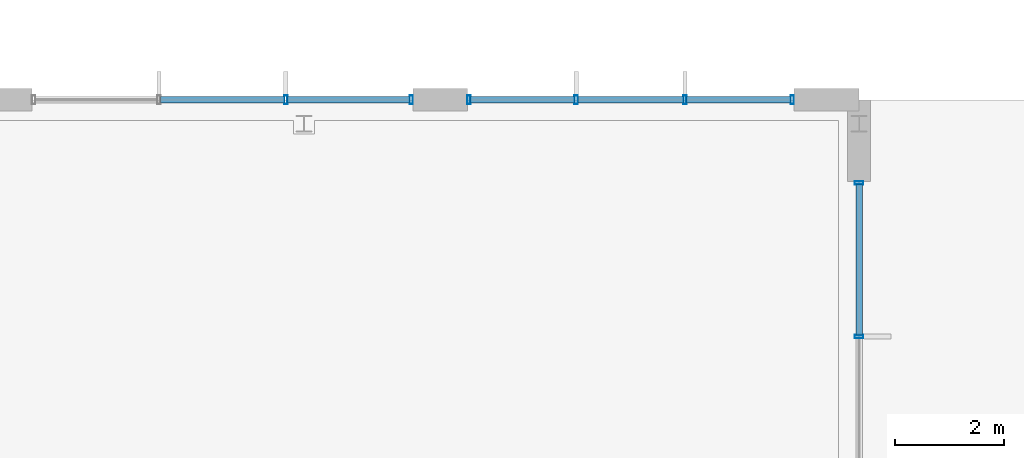
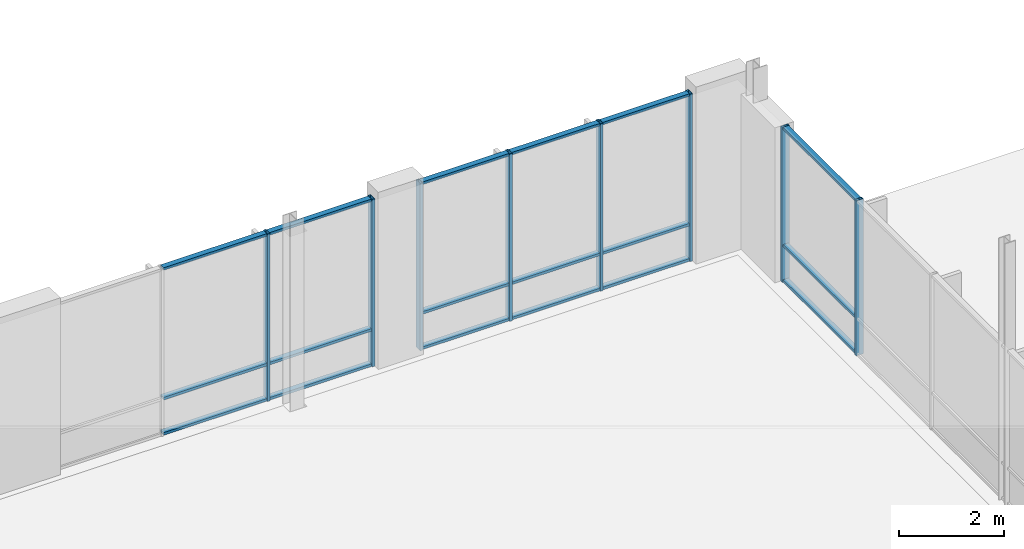
# One storey, part 126 of 233: 26 members, 3 elements without a shape of their own.
"""IFC4 building model written with IfcOpenShell, lengths in metres."""

from ifc_helpers import new_model, si_unit, direction, frame, origin, origin_2d, place, context, subcontext, project, spatial, hollow_rectangle, extrude, material, material_profile, profile_set, type_object, element, aggregate, save


model = new_model("IFC4")

# Units and contexts
model_context = context("Model", 3, precision=1e-05, world=origin(), true_north=direction((0.0, 1.0)))
body_context = subcontext(model_context, "Body", "Model", "MODEL_VIEW")
ifc_project = project(units=[si_unit("LENGTHUNIT", "METRE"), si_unit("AREAUNIT", "SQUARE_METRE"), si_unit("VOLUMEUNIT", "CUBIC_METRE"), si_unit("PLANEANGLEUNIT", "RADIAN"), si_unit("MASSUNIT", "GRAM", prefix="KILO")], contexts=[model_context])

# Site, building, storey
site_placement = place(None, origin())
site = spatial("IfcSite", under=ifc_project, at=site_placement, CompositionType="ELEMENT")
building_placement = place(site_placement, origin())
building = spatial("IfcBuilding", under=site, at=building_placement, Name="Zavelmont Quarter", CompositionType="ELEMENT")
storey_placement = place(building_placement, origin())
storey = spatial("IfcBuildingStorey", under=building, at=storey_placement, Name="L00", CompositionType="ELEMENT", Elevation=0.0)

# Curtain wall, members
ifc_material_1 = material(Name="Thermally broken aluminium and double low-E safety glazing", Category="aluminium")
curtain_wall_type_1 = type_object("IfcCurtainWallType", Name="CW-700X390", PredefinedType="NOTDEFINED", material=ifc_material_1)
curtain_wall_1_placement = place(storey_placement, origin())
curtain_wall_1 = element("IfcCurtainWall", 1, at=curtain_wall_1_placement, inside=storey, type_object=curtain_wall_type_1, Name="L00 unitised curtain wall CW-700X390", PredefinedType="NOTDEFINED")
ifc_material_2 = material(Name="Powder-coated aluminium EN AW-6063-T6", Category="aluminium")
ifc_material_profile_1 = material_profile(ifc_material_2, hollow_rectangle(XDim=0.06005859375, YDim=0.159912109375, WallThickness=0.00390625, at=origin_2d()), Name="CWM60X160")
ifc_profile_set_1 = profile_set([ifc_material_profile_1], Name="Powder-coated aluminium EN AW-6063-T6")
member_type_1 = type_object("IfcMemberType", Name="CWM01", PredefinedType="MULLION", material=ifc_profile_set_1)
member_1_placement = place(storey_placement, frame((65.466552734375, 116.0, 0.0), z_axis=(0.0, 0.0, 1.0), x_axis=(1.0, 0.0, 0.0)))
member_1 = element("IfcMember", 2, at=member_1_placement, type_object=member_type_1, Name="CW-700X390 mullion 3", PredefinedType="MULLION", context=body_context, shape_type="SweptSolid", body=[
    extrude(hollow_rectangle(XDim=0.06005859375, YDim=0.159912109375, WallThickness=0.00390625, at=origin_2d()), origin(), (0.0, 0.0, 1.0), 3.89990234375),
])
member_2_placement = place(storey_placement, frame((67.77001953125, 116.0, 0.0), z_axis=(0.0, 0.0, 1.0), x_axis=(1.0, 0.0, 0.0)))
member_2 = element("IfcMember", 3, at=member_2_placement, type_object=member_type_1, Name="CW-700X390 mullion 4", PredefinedType="MULLION", context=body_context, shape_type="SweptSolid", body=[
    extrude(hollow_rectangle(XDim=0.06005859375, YDim=0.159912109375, WallThickness=0.00390625, at=origin_2d()), origin(), (0.0, 0.0, 1.0), 3.89990234375),
])

curtain_wall_type_2 = type_object("IfcCurtainWallType", Name="CW-600X390", PredefinedType="NOTDEFINED", material=ifc_material_1)
curtain_wall_2_placement = place(storey_placement, origin())
curtain_wall_2 = element("IfcCurtainWall", 4, at=curtain_wall_2_placement, inside=storey, type_object=curtain_wall_type_2, Name="L00 unitised curtain wall CW-600X390", PredefinedType="NOTDEFINED")
member_3_placement = place(storey_placement, frame((68.830078125, 116.0, 0.0), z_axis=(0.0, 0.0, 1.0), x_axis=(1.0, 0.0, 0.0)))
member_3 = element("IfcMember", 5, at=member_3_placement, type_object=member_type_1, Name="CW-600X390 mullion 1", PredefinedType="MULLION", context=body_context, shape_type="SweptSolid", body=[
    extrude(hollow_rectangle(XDim=0.06005859375, YDim=0.159912109375, WallThickness=0.00390625, at=origin_2d()), origin(), (0.0, 0.0, 1.0), 3.89990234375),
])
member_4_placement = place(storey_placement, frame((70.800048828125, 116.0, 0.0), z_axis=(0.0, 0.0, 1.0), x_axis=(1.0, 0.0, 0.0)))
member_4 = element("IfcMember", 6, at=member_4_placement, type_object=member_type_1, Name="CW-600X390 mullion 2", PredefinedType="MULLION", context=body_context, shape_type="SweptSolid", body=[
    extrude(hollow_rectangle(XDim=0.06005859375, YDim=0.159912109375, WallThickness=0.00390625, at=origin_2d()), origin(), (0.0, 0.0, 1.0), 3.89990234375),
])
member_5_placement = place(storey_placement, frame((72.800048828125, 116.0, 0.0), z_axis=(0.0, 0.0, 1.0), x_axis=(1.0, 0.0, 0.0)))
member_5 = element("IfcMember", 7, at=member_5_placement, type_object=member_type_1, Name="CW-600X390 mullion 3", PredefinedType="MULLION", context=body_context, shape_type="SweptSolid", body=[
    extrude(hollow_rectangle(XDim=0.06005859375, YDim=0.159912109375, WallThickness=0.00390625, at=origin_2d()), origin(), (0.0, 0.0, 1.0), 3.89990234375),
])
member_6_placement = place(storey_placement, frame((74.77001953125, 116.0, 0.0), z_axis=(0.0, 0.0, 1.0), x_axis=(1.0, 0.0, 0.0)))
member_6 = element("IfcMember", 8, at=member_6_placement, type_object=member_type_1, Name="CW-600X390 mullion 4", PredefinedType="MULLION", context=body_context, shape_type="SweptSolid", body=[
    extrude(hollow_rectangle(XDim=0.06005859375, YDim=0.159912109375, WallThickness=0.00390625, at=origin_2d()), origin(), (0.0, 0.0, 1.0), 3.89990234375),
])

curtain_wall_type_3 = type_object("IfcCurtainWallType", Name="CW-1140X361", PredefinedType="NOTDEFINED", material=ifc_material_1)
curtain_wall_3_placement = place(storey_placement, origin())
curtain_wall_3 = element("IfcCurtainWall", 9, at=curtain_wall_3_placement, inside=storey, type_object=curtain_wall_type_3, Name="L00 unitised curtain wall CW-1140X361", PredefinedType="NOTDEFINED")
member_7_placement = place(storey_placement, frame((76.0, 111.64990234375, 0.0), z_axis=(0.0, 0.0, 1.0), x_axis=(0.0, 1.0, 0.0)))
member_7 = element("IfcMember", 10, at=member_7_placement, type_object=member_type_1, Name="CW-1140X361 mullion 4", PredefinedType="MULLION", context=body_context, shape_type="SweptSolid", body=[
    extrude(hollow_rectangle(XDim=0.06005859375, YDim=0.159912109375, WallThickness=0.00390625, at=origin_2d()), origin(), (0.0, 0.0, 1.0), 3.610107421875),
])
member_8_placement = place(storey_placement, frame((76.0, 114.469970703125, 0.0), z_axis=(0.0, 0.0, 1.0), x_axis=(0.0, 1.0, 0.0)))
member_8 = element("IfcMember", 11, at=member_8_placement, type_object=member_type_1, Name="CW-1140X361 mullion 5", PredefinedType="MULLION", context=body_context, shape_type="SweptSolid", body=[
    extrude(hollow_rectangle(XDim=0.06005859375, YDim=0.159912109375, WallThickness=0.00390625, at=origin_2d()), origin(), (0.0, 0.0, 1.0), 3.610107421875),
])

# Member
ifc_material_profile_2 = material_profile(ifc_material_2, hollow_rectangle(XDim=0.1201171875, YDim=0.06005859375, WallThickness=0.00390625, at=origin_2d()), Name="CWT60X120")
ifc_profile_set_2 = profile_set([ifc_material_profile_2], Name="Powder-coated aluminium EN AW-6063-T6")
member_type_2 = type_object("IfcMemberType", Name="CWT01", PredefinedType="NOTDEFINED", material=ifc_profile_set_2)
member_9_placement = place(storey_placement, frame((63.163330078125, 116.0, 0.030029296875), z_axis=(1.0, 0.0, 0.0), x_axis=(0.0, 1.0, 0.0)))
member_9 = element("IfcMember", 12, at=member_9_placement, type_object=member_type_2, Name="CW-700X390 transom 2.1", ObjectType="TRANSOM", PredefinedType="USERDEFINED", context=body_context, shape_type="SweptSolid", body=[
    extrude(hollow_rectangle(XDim=0.1201171875, YDim=0.06005859375, WallThickness=0.00390625, at=origin_2d()), origin(), (0.0, 0.0, 1.0), 2.2734375),
])

member_10_placement = place(storey_placement, frame((63.163330078125, 116.0, 0.85009765625), z_axis=(1.0, 0.0, 0.0), x_axis=(0.0, 1.0, 0.0)))
member_10 = element("IfcMember", 13, at=member_10_placement, type_object=member_type_2, Name="CW-700X390 transom 2.2", ObjectType="TRANSOM", PredefinedType="USERDEFINED", context=body_context, shape_type="SweptSolid", body=[
    extrude(hollow_rectangle(XDim=0.1201171875, YDim=0.06005859375, WallThickness=0.00390625, at=origin_2d()), origin(), (0.0, 0.0, 1.0), 2.2734375),
])

member_11_placement = place(storey_placement, frame((63.163330078125, 116.0, 3.8701171875), z_axis=(1.0, 0.0, 0.0), x_axis=(0.0, 1.0, 0.0)))
member_11 = element("IfcMember", 14, at=member_11_placement, type_object=member_type_2, Name="CW-700X390 transom 2.3", ObjectType="TRANSOM", PredefinedType="USERDEFINED", context=body_context, shape_type="SweptSolid", body=[
    extrude(hollow_rectangle(XDim=0.1201171875, YDim=0.06005859375, WallThickness=0.00390625, at=origin_2d()), origin(), (0.0, 0.0, 1.0), 2.2734375),
])

member_12_placement = place(storey_placement, frame((65.49658203125, 116.0, 0.030029296875), z_axis=(1.0, 0.0, 0.0), x_axis=(0.0, 1.0, 0.0)))
member_12 = element("IfcMember", 15, at=member_12_placement, type_object=member_type_2, Name="CW-700X390 transom 3.1", ObjectType="TRANSOM", PredefinedType="USERDEFINED", context=body_context, shape_type="SweptSolid", body=[
    extrude(hollow_rectangle(XDim=0.1201171875, YDim=0.06005859375, WallThickness=0.00390625, at=origin_2d()), origin(), (0.0, 0.0, 1.0), 2.243408203125),
])

member_13_placement = place(storey_placement, frame((65.49658203125, 116.0, 0.85009765625), z_axis=(1.0, 0.0, 0.0), x_axis=(0.0, 1.0, 0.0)))
member_13 = element("IfcMember", 16, at=member_13_placement, type_object=member_type_2, Name="CW-700X390 transom 3.2", ObjectType="TRANSOM", PredefinedType="USERDEFINED", context=body_context, shape_type="SweptSolid", body=[
    extrude(hollow_rectangle(XDim=0.1201171875, YDim=0.06005859375, WallThickness=0.00390625, at=origin_2d()), origin(), (0.0, 0.0, 1.0), 2.243408203125),
])

member_14_placement = place(storey_placement, frame((65.49658203125, 116.0, 3.8701171875), z_axis=(1.0, 0.0, 0.0), x_axis=(0.0, 1.0, 0.0)))
member_14 = element("IfcMember", 17, at=member_14_placement, type_object=member_type_2, Name="CW-700X390 transom 3.3", ObjectType="TRANSOM", PredefinedType="USERDEFINED", context=body_context, shape_type="SweptSolid", body=[
    extrude(hollow_rectangle(XDim=0.1201171875, YDim=0.06005859375, WallThickness=0.00390625, at=origin_2d()), origin(), (0.0, 0.0, 1.0), 2.243408203125),
])

aggregate(curtain_wall_1, [member_1, member_2, member_9, member_10, member_11, member_12, member_13, member_14])

member_15_placement = place(storey_placement, frame((68.860107421875, 116.0, 0.030029296875), z_axis=(1.0, 0.0, 0.0), x_axis=(0.0, 1.0, 0.0)))
member_15 = element("IfcMember", 18, at=member_15_placement, type_object=member_type_2, Name="CW-600X390 transom 1.1", ObjectType="TRANSOM", PredefinedType="USERDEFINED", context=body_context, shape_type="SweptSolid", body=[
    extrude(hollow_rectangle(XDim=0.1201171875, YDim=0.06005859375, WallThickness=0.00390625, at=origin_2d()), origin(), (0.0, 0.0, 1.0), 1.909912109375),
])

member_16_placement = place(storey_placement, frame((68.860107421875, 116.0, 0.85009765625), z_axis=(1.0, 0.0, 0.0), x_axis=(0.0, 1.0, 0.0)))
member_16 = element("IfcMember", 19, at=member_16_placement, type_object=member_type_2, Name="CW-600X390 transom 1.2", ObjectType="TRANSOM", PredefinedType="USERDEFINED", context=body_context, shape_type="SweptSolid", body=[
    extrude(hollow_rectangle(XDim=0.1201171875, YDim=0.06005859375, WallThickness=0.00390625, at=origin_2d()), origin(), (0.0, 0.0, 1.0), 1.909912109375),
])

member_17_placement = place(storey_placement, frame((68.860107421875, 116.0, 3.8701171875), z_axis=(1.0, 0.0, 0.0), x_axis=(0.0, 1.0, 0.0)))
member_17 = element("IfcMember", 20, at=member_17_placement, type_object=member_type_2, Name="CW-600X390 transom 1.3", ObjectType="TRANSOM", PredefinedType="USERDEFINED", context=body_context, shape_type="SweptSolid", body=[
    extrude(hollow_rectangle(XDim=0.1201171875, YDim=0.06005859375, WallThickness=0.00390625, at=origin_2d()), origin(), (0.0, 0.0, 1.0), 1.909912109375),
])

member_18_placement = place(storey_placement, frame((70.830078125, 116.0, 0.030029296875), z_axis=(1.0, 0.0, 0.0), x_axis=(0.0, 1.0, 0.0)))
member_18 = element("IfcMember", 21, at=member_18_placement, type_object=member_type_2, Name="CW-600X390 transom 2.1", ObjectType="TRANSOM", PredefinedType="USERDEFINED", context=body_context, shape_type="SweptSolid", body=[
    extrude(hollow_rectangle(XDim=0.1201171875, YDim=0.06005859375, WallThickness=0.00390625, at=origin_2d()), origin(), (0.0, 0.0, 1.0), 1.93994140625),
])

member_19_placement = place(storey_placement, frame((70.830078125, 116.0, 0.85009765625), z_axis=(1.0, 0.0, 0.0), x_axis=(0.0, 1.0, 0.0)))
member_19 = element("IfcMember", 22, at=member_19_placement, type_object=member_type_2, Name="CW-600X390 transom 2.2", ObjectType="TRANSOM", PredefinedType="USERDEFINED", context=body_context, shape_type="SweptSolid", body=[
    extrude(hollow_rectangle(XDim=0.1201171875, YDim=0.06005859375, WallThickness=0.00390625, at=origin_2d()), origin(), (0.0, 0.0, 1.0), 1.93994140625),
])

member_20_placement = place(storey_placement, frame((70.830078125, 116.0, 3.8701171875), z_axis=(1.0, 0.0, 0.0), x_axis=(0.0, 1.0, 0.0)))
member_20 = element("IfcMember", 23, at=member_20_placement, type_object=member_type_2, Name="CW-600X390 transom 2.3", ObjectType="TRANSOM", PredefinedType="USERDEFINED", context=body_context, shape_type="SweptSolid", body=[
    extrude(hollow_rectangle(XDim=0.1201171875, YDim=0.06005859375, WallThickness=0.00390625, at=origin_2d()), origin(), (0.0, 0.0, 1.0), 1.93994140625),
])

member_21_placement = place(storey_placement, frame((72.830078125, 116.0, 0.030029296875), z_axis=(1.0, 0.0, 0.0), x_axis=(0.0, 1.0, 0.0)))
member_21 = element("IfcMember", 24, at=member_21_placement, type_object=member_type_2, Name="CW-600X390 transom 3.1", ObjectType="TRANSOM", PredefinedType="USERDEFINED", context=body_context, shape_type="SweptSolid", body=[
    extrude(hollow_rectangle(XDim=0.1201171875, YDim=0.06005859375, WallThickness=0.00390625, at=origin_2d()), origin(), (0.0, 0.0, 1.0), 1.909912109375),
])

member_22_placement = place(storey_placement, frame((72.830078125, 116.0, 0.85009765625), z_axis=(1.0, 0.0, 0.0), x_axis=(0.0, 1.0, 0.0)))
member_22 = element("IfcMember", 25, at=member_22_placement, type_object=member_type_2, Name="CW-600X390 transom 3.2", ObjectType="TRANSOM", PredefinedType="USERDEFINED", context=body_context, shape_type="SweptSolid", body=[
    extrude(hollow_rectangle(XDim=0.1201171875, YDim=0.06005859375, WallThickness=0.00390625, at=origin_2d()), origin(), (0.0, 0.0, 1.0), 1.909912109375),
])

member_23_placement = place(storey_placement, frame((72.830078125, 116.0, 3.8701171875), z_axis=(1.0, 0.0, 0.0), x_axis=(0.0, 1.0, 0.0)))
member_23 = element("IfcMember", 26, at=member_23_placement, type_object=member_type_2, Name="CW-600X390 transom 3.3", ObjectType="TRANSOM", PredefinedType="USERDEFINED", context=body_context, shape_type="SweptSolid", body=[
    extrude(hollow_rectangle(XDim=0.1201171875, YDim=0.06005859375, WallThickness=0.00390625, at=origin_2d()), origin(), (0.0, 0.0, 1.0), 1.909912109375),
])

aggregate(curtain_wall_2, [member_3, member_4, member_5, member_6, member_15, member_16, member_17, member_18, member_19, member_20, member_21, member_22, member_23])

member_24_placement = place(storey_placement, frame((76.0, 111.679931640625, 0.030029296875), z_axis=(0.0, 1.0, 0.0), x_axis=(-1.0, 0.0, 0.0)))
member_24 = element("IfcMember", 27, at=member_24_placement, type_object=member_type_2, Name="CW-1140X361 transom 4.1", ObjectType="TRANSOM", PredefinedType="USERDEFINED", context=body_context, shape_type="SweptSolid", body=[
    extrude(hollow_rectangle(XDim=0.1201171875, YDim=0.06005859375, WallThickness=0.00390625, at=origin_2d()), origin(), (0.0, 0.0, 1.0), 2.760009765625),
])

member_25_placement = place(storey_placement, frame((76.0, 111.679931640625, 0.85009765625), z_axis=(0.0, 1.0, 0.0), x_axis=(-1.0, 0.0, 0.0)))
member_25 = element("IfcMember", 28, at=member_25_placement, type_object=member_type_2, Name="CW-1140X361 transom 4.2", ObjectType="TRANSOM", PredefinedType="USERDEFINED", context=body_context, shape_type="SweptSolid", body=[
    extrude(hollow_rectangle(XDim=0.1201171875, YDim=0.06005859375, WallThickness=0.00390625, at=origin_2d()), origin(), (0.0, 0.0, 1.0), 2.760009765625),
])

member_26_placement = place(storey_placement, frame((76.0, 111.679931640625, 3.580078125), z_axis=(0.0, 1.0, 0.0), x_axis=(-1.0, 0.0, 0.0)))
member_26 = element("IfcMember", 29, at=member_26_placement, type_object=member_type_2, Name="CW-1140X361 transom 4.3", ObjectType="TRANSOM", PredefinedType="USERDEFINED", context=body_context, shape_type="SweptSolid", body=[
    extrude(hollow_rectangle(XDim=0.1201171875, YDim=0.06005859375, WallThickness=0.00390625, at=origin_2d()), origin(), (0.0, 0.0, 1.0), 2.760009765625),
])

aggregate(curtain_wall_3, [member_7, member_8, member_24, member_25, member_26])

save(model, "model.ifc")
